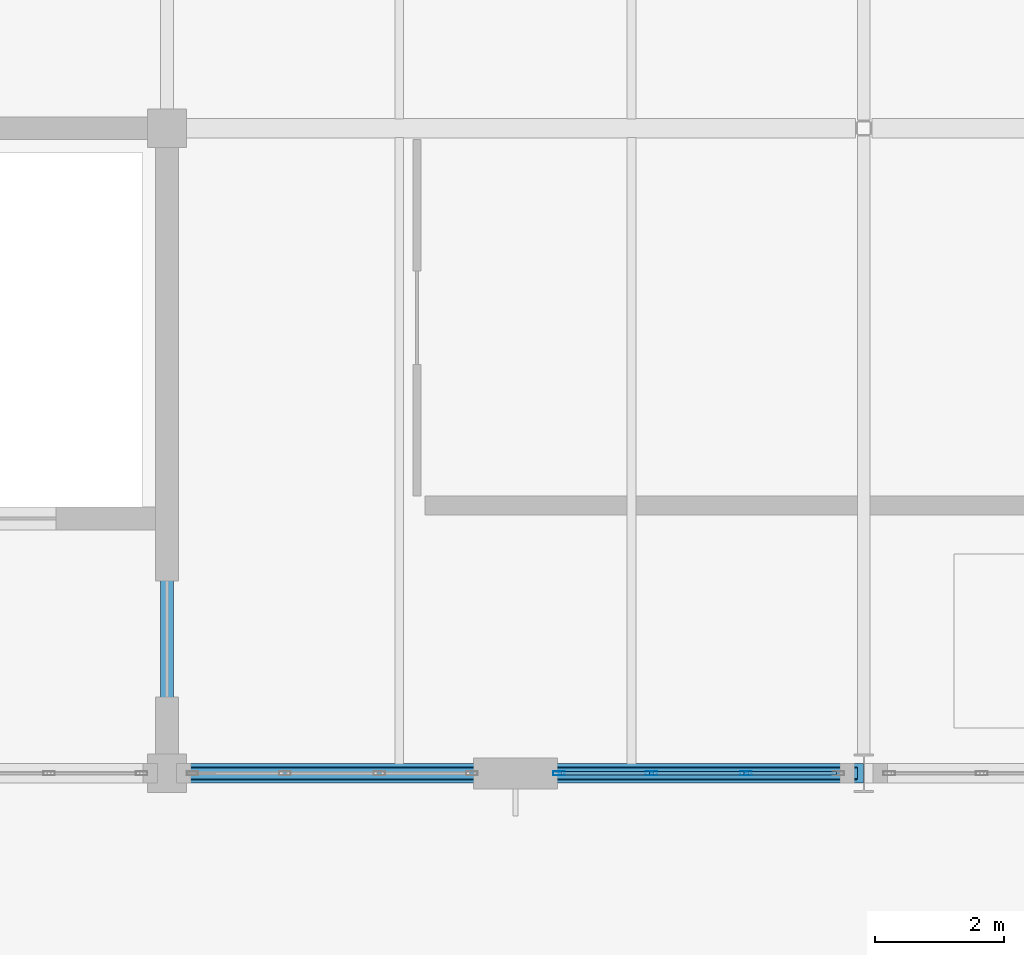
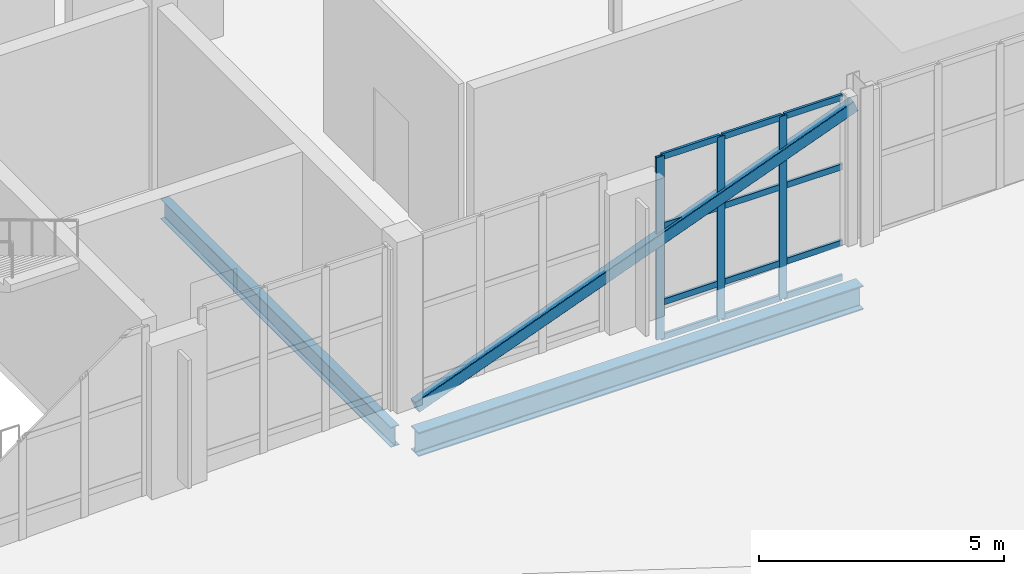
# One storey, part 17 of 86: 16 members, 2 beams, 1 element without a shape of its own.
"""IFC4 building model written with IfcOpenShell, lengths in metres."""

from ifc_helpers import new_model, si_unit, direction, frame, origin, origin_2d, place, context, subcontext, project, spatial, hollow_rectangle, i_section, extrude, material, layer, layer_set, material_profile, profile_set, type_object, element, aggregate, save


model = new_model("IFC4")

# Units and contexts
model_context = context("Model", 3, precision=1e-05, world=origin(), true_north=direction((0.0, 1.0)))
body_context = subcontext(model_context, "Body", "Model", "MODEL_VIEW")
ifc_project = project(units=[si_unit("LENGTHUNIT", "METRE"), si_unit("AREAUNIT", "SQUARE_METRE"), si_unit("VOLUMEUNIT", "CUBIC_METRE"), si_unit("PLANEANGLEUNIT", "RADIAN"), si_unit("MASSUNIT", "GRAM", prefix="KILO")], contexts=[model_context])

# Site, building, storey
site_placement = place(None, origin())
site = spatial("IfcSite", under=ifc_project, at=site_placement, CompositionType="ELEMENT")
building_placement = place(site_placement, origin())
building = spatial("IfcBuilding", under=site, at=building_placement, Name="Tasgan Crest Museum", CompositionType="ELEMENT")
storey_placement = place(building_placement, frame((0.0, 0.0, 24.0)))
storey = spatial("IfcBuildingStorey", under=building, at=storey_placement, Name="L04", CompositionType="ELEMENT", Elevation=24.0)

# Beams
ifc_material_1 = material(Name="Steel S355K2", Category="steel")
ifc_material_profile_1 = material_profile(ifc_material_1, i_section(OverallWidth=0.300048828125, OverallDepth=0.60009765625, WebThickness=0.015380859375, FlangeThickness=0.030029296875, FilletRadius=0.027099609375, at=origin_2d()), Name="HEB 600")
ifc_profile_set_1 = profile_set([ifc_material_profile_1], Name="Steel S355K2")
beam_type_1 = type_object("IfcBeamType", Name="BM-CANT-G1", PredefinedType="BEAM", material=ifc_profile_set_1)
beam_1_placement = place(storey_placement, frame((21.89599609375, 82.0, -0.5400390625), z_axis=(1.0, 0.0, 0.0), x_axis=(0.0, 1.0, 0.0)))
element("IfcBeam", 1, at=beam_1_placement, inside=storey, type_object=beam_type_1, Name="Transfer back-span girder 2 TOP J", PredefinedType="BEAM", context=body_context, shape_type="SweptSolid", body=[
    extrude(i_section(OverallWidth=0.300048828125, OverallDepth=0.60009765625, WebThickness=0.015380859375, FlangeThickness=0.030029296875, FilletRadius=0.027099609375, at=origin_2d()), origin(), (0.0, 0.0, 1.0), 10.498291015625),
])
ifc_material_2 = material(Name="Steel S355J2", Category="steel")
ifc_material_profile_2 = material_profile(ifc_material_2, i_section(OverallWidth=0.199951171875, OverallDepth=0.5, WebThickness=0.01025390625, FlangeThickness=0.01611328125, FilletRadius=0.02099609375, at=origin_2d()), Name="IPE 500")
ifc_profile_set_2 = profile_set([ifc_material_profile_2], Name="Steel S355J2")
beam_type_2 = type_object("IfcBeamType", Name="BM-G-IPE500", PredefinedType="BEAM", material=ifc_profile_set_2)
beam_2_placement = place(storey_placement, frame((21.60009765625, 82.294921875, -0.489990234375), z_axis=(0.0, 1.0, 0.0), x_axis=(-1.0, 0.0, 0.0)))
element("IfcBeam", 2, at=beam_2_placement, inside=storey, type_object=beam_type_2, Name="Beam L04 3 82.0-92.0", PredefinedType="BEAM", context=body_context, shape_type="SweptSolid", body=[
    extrude(i_section(OverallWidth=0.199951171875, OverallDepth=0.5, WebThickness=0.01025390625, FlangeThickness=0.01611328125, FilletRadius=0.02099609375, at=origin_2d()), origin(), (0.0, 0.0, 1.0), 9.41015625),
])

# Curtain wall, members
ifc_material_3 = material(Name="Triple-Glazed Aluminium Curtain Wall", Category="aluminium")
ifc_layer = layer(ifc_material_3, 0.179931640625, Name="CW-GAL-X-48")
ifc_layer_set = layer_set([ifc_layer], Name="Triple-Glazed Aluminium Curtain Wall")
curtain_wall_type = type_object("IfcCurtainWallType", Name="CW-GAL-X-48", PredefinedType="NOTDEFINED", material=ifc_layer_set)
curtain_wall_placement = place(storey_placement, origin())
curtain_wall = element("IfcCurtainWall", 3, at=curtain_wall_placement, inside=storey, type_object=curtain_wall_type, Name="Curtain wall L04 174", PredefinedType="NOTDEFINED")
ifc_material_4 = material(Name="Anodised Aluminium", Category="aluminium")
ifc_material_profile_3 = material_profile(ifc_material_4, hollow_rectangle(XDim=0.06494140625, YDim=0.179931640625, WallThickness=0.0048828125, at=origin_2d()), Name="ALU MULLION 180x65x5")
ifc_profile_set_3 = profile_set([ifc_material_profile_3], Name="Anodised Aluminium")
member_type_1 = type_object("IfcMemberType", Name="CW-MULLION-180", PredefinedType="MULLION", material=ifc_profile_set_3)
member_1_placement = place(storey_placement, frame((27.675048828125, 82.0, 0.0), z_axis=(0.0, 0.0, 1.0), x_axis=(0.0, 1.0, 0.0)))
member_1 = element("IfcMember", 4, at=member_1_placement, type_object=member_type_1, Name="CW13 mullion 1", PredefinedType="MULLION", context=body_context, shape_type="SweptSolid", body=[
    extrude(hollow_rectangle(XDim=0.06494140625, YDim=0.179931640625, WallThickness=0.0048828125, at=origin_2d()), origin(), (0.0, 0.0, 1.0), 4.56005859375),
])
member_2_placement = place(storey_placement, frame((29.1083984375, 82.0, 0.0), z_axis=(0.0, 0.0, 1.0), x_axis=(0.0, 1.0, 0.0)))
member_2 = element("IfcMember", 5, at=member_2_placement, type_object=member_type_1, Name="CW13 mullion 2", PredefinedType="MULLION", context=body_context, shape_type="SweptSolid", body=[
    extrude(hollow_rectangle(XDim=0.06494140625, YDim=0.179931640625, WallThickness=0.0048828125, at=origin_2d()), origin(), (0.0, 0.0, 1.0), 4.56005859375),
])
member_3_placement = place(storey_placement, frame((30.57177734375, 82.0, 0.0), z_axis=(0.0, 0.0, 1.0), x_axis=(0.0, 1.0, 0.0)))
member_3 = element("IfcMember", 6, at=member_3_placement, type_object=member_type_1, Name="CW13 mullion 3", PredefinedType="MULLION", context=body_context, shape_type="SweptSolid", body=[
    extrude(hollow_rectangle(XDim=0.06494140625, YDim=0.179931640625, WallThickness=0.0048828125, at=origin_2d()), origin(), (0.0, 0.0, 1.0), 4.56005859375),
])
ifc_material_5 = material(Name="Anodised Aluminium", Category="aluminium")
ifc_material_profile_4 = material_profile(ifc_material_5, hollow_rectangle(XDim=0.06005859375, YDim=0.14990234375, WallThickness=0.0048828125, at=origin_2d()), Name="ALU TRANSOM 150x60x5")
ifc_profile_set_4 = profile_set([ifc_material_profile_4], Name="Anodised Aluminium")
member_type_2 = type_object("IfcMemberType", Name="CW-TRANSOM-150", PredefinedType="USERDEFINED", material=ifc_profile_set_4)
member_4_placement = place(storey_placement, frame((27.705078125, 82.0, 0.030029296875), z_axis=(1.0, 0.0, 0.0), x_axis=(0.0, 1.0, 0.0)))
member_4 = element("IfcMember", 7, at=member_4_placement, type_object=member_type_2, Name="CW13 transom 1.1", ObjectType="TRANSOM", PredefinedType="USERDEFINED", context=body_context, shape_type="SweptSolid", body=[
    extrude(hollow_rectangle(XDim=0.06005859375, YDim=0.14990234375, WallThickness=0.0048828125, at=origin_2d()), origin(), (0.0, 0.0, 1.0), 1.373291015625),
])
member_5_placement = place(storey_placement, frame((27.705078125, 82.0, 0.89990234375), z_axis=(1.0, 0.0, 0.0), x_axis=(0.0, 1.0, 0.0)))
member_5 = element("IfcMember", 8, at=member_5_placement, type_object=member_type_2, Name="CW13 transom 1.2", ObjectType="TRANSOM", PredefinedType="USERDEFINED", context=body_context, shape_type="SweptSolid", body=[
    extrude(hollow_rectangle(XDim=0.06005859375, YDim=0.14990234375, WallThickness=0.0048828125, at=origin_2d()), origin(), (0.0, 0.0, 1.0), 1.373291015625),
])
member_6_placement = place(storey_placement, frame((27.705078125, 82.0, 2.800048828125), z_axis=(1.0, 0.0, 0.0), x_axis=(0.0, 1.0, 0.0)))
member_6 = element("IfcMember", 9, at=member_6_placement, type_object=member_type_2, Name="CW13 transom 1.3", ObjectType="TRANSOM", PredefinedType="USERDEFINED", context=body_context, shape_type="SweptSolid", body=[
    extrude(hollow_rectangle(XDim=0.06005859375, YDim=0.14990234375, WallThickness=0.0048828125, at=origin_2d()), origin(), (0.0, 0.0, 1.0), 1.373291015625),
])
member_7_placement = place(storey_placement, frame((27.705078125, 82.0, 4.530029296875), z_axis=(1.0, 0.0, 0.0), x_axis=(0.0, 1.0, 0.0)))
member_7 = element("IfcMember", 10, at=member_7_placement, type_object=member_type_2, Name="CW13 transom 1.4", ObjectType="TRANSOM", PredefinedType="USERDEFINED", context=body_context, shape_type="SweptSolid", body=[
    extrude(hollow_rectangle(XDim=0.06005859375, YDim=0.14990234375, WallThickness=0.0048828125, at=origin_2d()), origin(), (0.0, 0.0, 1.0), 1.373291015625),
])
member_8_placement = place(storey_placement, frame((29.138427734375, 82.0, 0.030029296875), z_axis=(1.0, 0.0, 0.0), x_axis=(0.0, 1.0, 0.0)))
member_8 = element("IfcMember", 11, at=member_8_placement, type_object=member_type_2, Name="CW13 transom 2.1", ObjectType="TRANSOM", PredefinedType="USERDEFINED", context=body_context, shape_type="SweptSolid", body=[
    extrude(hollow_rectangle(XDim=0.06005859375, YDim=0.14990234375, WallThickness=0.0048828125, at=origin_2d()), origin(), (0.0, 0.0, 1.0), 1.4033203125),
])
member_9_placement = place(storey_placement, frame((29.138427734375, 82.0, 0.89990234375), z_axis=(1.0, 0.0, 0.0), x_axis=(0.0, 1.0, 0.0)))
member_9 = element("IfcMember", 12, at=member_9_placement, type_object=member_type_2, Name="CW13 transom 2.2", ObjectType="TRANSOM", PredefinedType="USERDEFINED", context=body_context, shape_type="SweptSolid", body=[
    extrude(hollow_rectangle(XDim=0.06005859375, YDim=0.14990234375, WallThickness=0.0048828125, at=origin_2d()), origin(), (0.0, 0.0, 1.0), 1.4033203125),
])
member_10_placement = place(storey_placement, frame((29.138427734375, 82.0, 2.800048828125), z_axis=(1.0, 0.0, 0.0), x_axis=(0.0, 1.0, 0.0)))
member_10 = element("IfcMember", 13, at=member_10_placement, type_object=member_type_2, Name="CW13 transom 2.3", ObjectType="TRANSOM", PredefinedType="USERDEFINED", context=body_context, shape_type="SweptSolid", body=[
    extrude(hollow_rectangle(XDim=0.06005859375, YDim=0.14990234375, WallThickness=0.0048828125, at=origin_2d()), origin(), (0.0, 0.0, 1.0), 1.4033203125),
])
member_11_placement = place(storey_placement, frame((29.138427734375, 82.0, 4.530029296875), z_axis=(1.0, 0.0, 0.0), x_axis=(0.0, 1.0, 0.0)))
member_11 = element("IfcMember", 14, at=member_11_placement, type_object=member_type_2, Name="CW13 transom 2.4", ObjectType="TRANSOM", PredefinedType="USERDEFINED", context=body_context, shape_type="SweptSolid", body=[
    extrude(hollow_rectangle(XDim=0.06005859375, YDim=0.14990234375, WallThickness=0.0048828125, at=origin_2d()), origin(), (0.0, 0.0, 1.0), 1.4033203125),
])
member_12_placement = place(storey_placement, frame((30.6015625, 82.0, 0.030029296875), z_axis=(1.0, 0.0, 0.0), x_axis=(0.0, 1.0, 0.0)))
member_12 = element("IfcMember", 15, at=member_12_placement, type_object=member_type_2, Name="CW13 transom 3.1", ObjectType="TRANSOM", PredefinedType="USERDEFINED", context=body_context, shape_type="SweptSolid", body=[
    extrude(hollow_rectangle(XDim=0.06005859375, YDim=0.14990234375, WallThickness=0.0048828125, at=origin_2d()), origin(), (0.0, 0.0, 1.0), 1.37353515625),
])
member_13_placement = place(storey_placement, frame((30.6015625, 82.0, 0.89990234375), z_axis=(1.0, 0.0, 0.0), x_axis=(0.0, 1.0, 0.0)))
member_13 = element("IfcMember", 16, at=member_13_placement, type_object=member_type_2, Name="CW13 transom 3.2", ObjectType="TRANSOM", PredefinedType="USERDEFINED", context=body_context, shape_type="SweptSolid", body=[
    extrude(hollow_rectangle(XDim=0.06005859375, YDim=0.14990234375, WallThickness=0.0048828125, at=origin_2d()), origin(), (0.0, 0.0, 1.0), 1.37353515625),
])
member_14_placement = place(storey_placement, frame((30.6015625, 82.0, 2.800048828125), z_axis=(1.0, 0.0, 0.0), x_axis=(0.0, 1.0, 0.0)))
member_14 = element("IfcMember", 17, at=member_14_placement, type_object=member_type_2, Name="CW13 transom 3.3", ObjectType="TRANSOM", PredefinedType="USERDEFINED", context=body_context, shape_type="SweptSolid", body=[
    extrude(hollow_rectangle(XDim=0.06005859375, YDim=0.14990234375, WallThickness=0.0048828125, at=origin_2d()), origin(), (0.0, 0.0, 1.0), 1.37353515625),
])
member_15_placement = place(storey_placement, frame((30.6015625, 82.0, 4.530029296875), z_axis=(1.0, 0.0, 0.0), x_axis=(0.0, 1.0, 0.0)))
member_15 = element("IfcMember", 18, at=member_15_placement, type_object=member_type_2, Name="CW13 transom 3.4", ObjectType="TRANSOM", PredefinedType="USERDEFINED", context=body_context, shape_type="SweptSolid", body=[
    extrude(hollow_rectangle(XDim=0.06005859375, YDim=0.14990234375, WallThickness=0.0048828125, at=origin_2d()), origin(), (0.0, 0.0, 1.0), 1.37353515625),
])
aggregate(curtain_wall, [member_1, member_2, member_3, member_4, member_5, member_6, member_7, member_8, member_9, member_10, member_11, member_12, member_13, member_14, member_15])

# Member
ifc_material_6 = material(Name="Steel S355K2", Category="steel")
ifc_material_profile_5 = material_profile(ifc_material_6, hollow_rectangle(XDim=0.199951171875, YDim=0.300048828125, WallThickness=0.012451171875, InnerFilletRadius=0.012451171875, OuterFilletRadius=0.02490234375, at=origin_2d()), Name="RHS 300x200x12.5")
ifc_profile_set_5 = profile_set([ifc_material_profile_5], Name="Steel S355K2")
member_type_3 = type_object("IfcMemberType", Name="MEM-BR-RHS300", PredefinedType="BRACE", material=ifc_profile_set_5)
member_16_placement = place(storey_placement, frame((21.89990234375, 82.0, 0.35009765625), z_axis=(0.935774670973, 0.0, 0.352598589284), x_axis=(0.0, 1.0, 0.0)))
element("IfcMember", 19, at=member_16_placement, inside=storey, type_object=member_type_3, Name="Diagonal brace L04 J 21.6-32.4", PredefinedType="BRACE", context=body_context, shape_type="SweptSolid", body=[
    extrude(hollow_rectangle(XDim=0.199951171875, YDim=0.300048828125, WallThickness=0.012451171875, InnerFilletRadius=0.012451171875, OuterFilletRadius=0.02490234375, at=origin_2d()), origin(), (0.0, 0.0, 1.0), 11.060546875),
])

save(model, "model.ifc")
